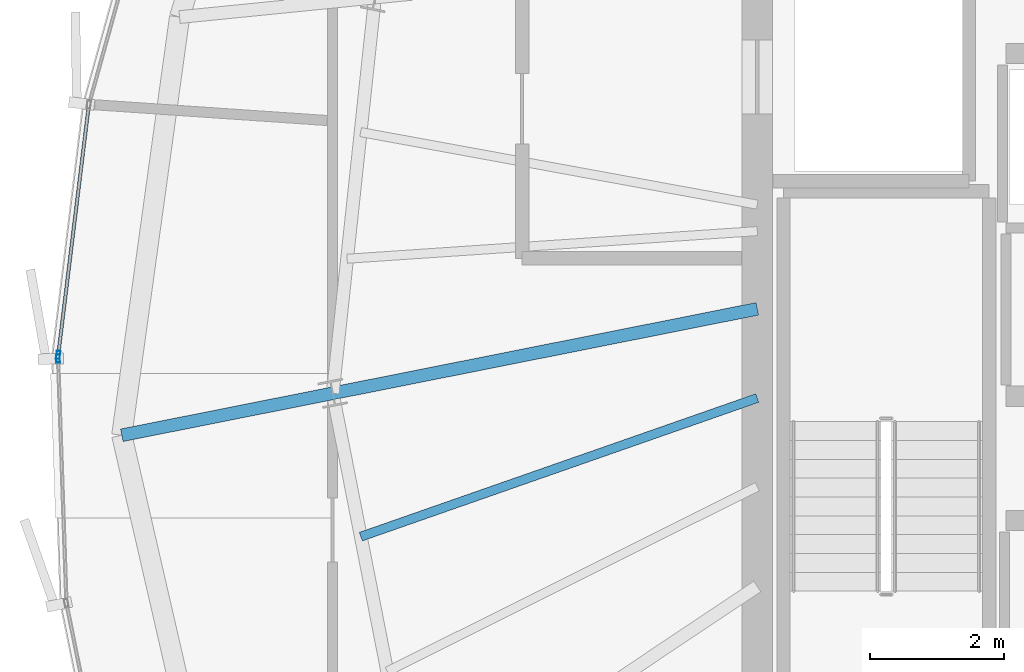
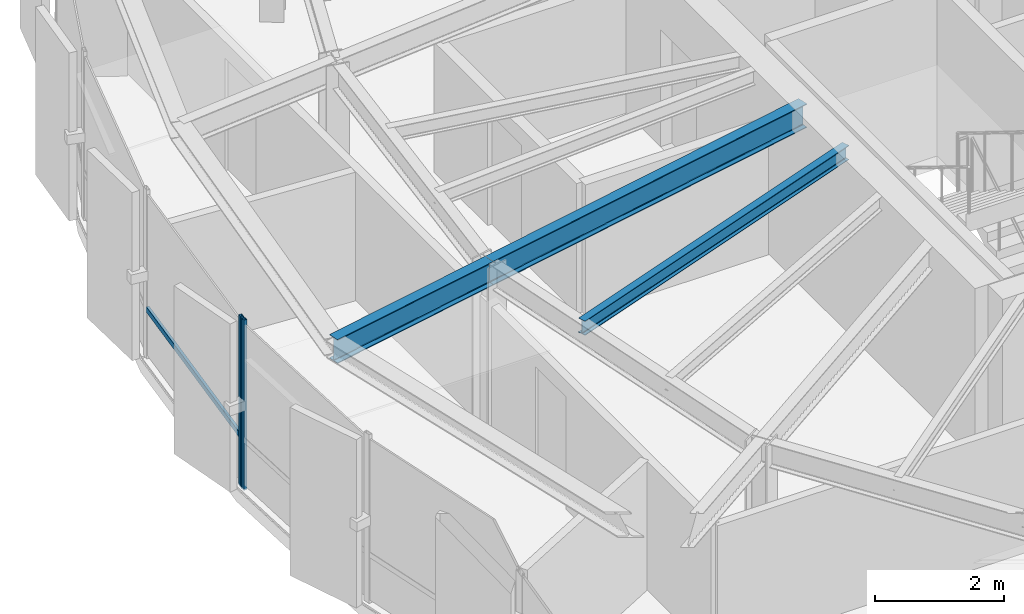
# One storey, part 9 of 31: 3 beams, 3 members, 2 elements without a shape of their own.
"""IFC4 building model written with IfcOpenShell, lengths in metres."""

from ifc_helpers import new_model, si_unit, direction, frame, origin, origin_2d, place, context, subcontext, project, spatial, hollow_rectangle, i_section, extrude, source, transform, mapped, material, layer, layer_set, material_profile, profile_set, type_object, element, aggregate, save


model = new_model("IFC4")

# Units and contexts
model_context = context("Model", 3, precision=1e-05, world=origin(), true_north=direction((0.0, 1.0)))
body_context = subcontext(model_context, "Body", "Model", "MODEL_VIEW")
ifc_project = project(units=[si_unit("LENGTHUNIT", "METRE"), si_unit("AREAUNIT", "SQUARE_METRE"), si_unit("VOLUMEUNIT", "CUBIC_METRE"), si_unit("PLANEANGLEUNIT", "RADIAN"), si_unit("MASSUNIT", "GRAM", prefix="KILO"), si_unit("THERMODYNAMICTEMPERATUREUNIT", "KELVIN")], contexts=[model_context])

# Site, building, storey
site_placement = place(None, origin())
site = spatial("IfcSite", under=ifc_project, at=site_placement, CompositionType="ELEMENT")
building_placement = place(site_placement, origin())
building = spatial("IfcBuilding", under=site, at=building_placement, Name="Kethvar Cultural Tower", CompositionType="ELEMENT")
storey_placement = place(building_placement, frame((0.0, 0.0, 283.60009765625)))
storey = spatial("IfcBuildingStorey", under=building, at=storey_placement, Name="L75", CompositionType="ELEMENT", Elevation=283.60009765625)

# Beams
ifc_material_1 = material(Name="Steel S355J2", Category="steel")
ifc_material_profile_1 = material_profile(ifc_material_1, i_section(OverallWidth=0.18994140625, OverallDepth=0.449951171875, WebThickness=0.009521484375, FlangeThickness=0.0146484375, FilletRadius=0.02099609375, at=origin_2d()), Name="Steel S355J2 — IPE450")
ifc_profile_set_1 = profile_set([ifc_material_profile_1], Name="Steel S355J2 — IPE450")
beam_type_1 = type_object("IfcBeamType", Name="BM-IPE450", PredefinedType="BEAM", material=ifc_profile_set_1)
shared_shape_1 = source(origin(), body_context, "Body", "SweptSolid", [
    extrude(i_section(OverallWidth=0.18994140625, OverallDepth=0.449951171875, WebThickness=0.009521484375, FlangeThickness=0.0146484375, FilletRadius=0.02099609375, at=origin_2d()), origin(), (0.0, 0.0, 1.0), 3.2001953125),
])
beam_1_placement = place(storey_placement, frame((31.68310546875, 24.79296875, 2.98291015625), z_axis=(-0.980788453702, -0.195074368086, 0.0), x_axis=(0.195074368086, -0.980788453702, 0.0)))
element("IfcBeam", 1, at=beam_1_placement, inside=storey, type_object=beam_type_1, Name="L75 Perimeter Cantilever Beam RC-09", PredefinedType="BEAM", context=body_context, shape_type="MappedRepresentation", body=[
    mapped(shared_shape_1, transform((0.0, 0.0, 0.0), scale=1.0)),
])
shared_shape_2 = source(origin(), body_context, "Body", "SweptSolid", [
    extrude(i_section(OverallWidth=0.18994140625, OverallDepth=0.449951171875, WebThickness=0.009521484375, FlangeThickness=0.0146484375, FilletRadius=0.02099609375, at=origin_2d()), origin(), (0.0, 0.0, 1.0), 6.440673828125),
])
beam_2_placement = place(storey_placement, frame((38.0, 26.049560546875, 2.98291015625), z_axis=(-0.980782804096, -0.195102770839, 0.0), x_axis=(0.195102770839, -0.980782804096, 0.0)))
element("IfcBeam", 2, at=beam_2_placement, inside=storey, type_object=beam_type_1, Name="L75 Primary Radial Beam RB-09", PredefinedType="BEAM", context=body_context, shape_type="MappedRepresentation", body=[
    mapped(shared_shape_2, transform((0.0, 0.0, 0.0), scale=1.0)),
])
ifc_material_profile_2 = material_profile(ifc_material_1, i_section(OverallWidth=0.135009765625, OverallDepth=0.27001953125, WebThickness=0.006591796875, FlangeThickness=0.01025390625, FilletRadius=0.014892578125, at=origin_2d()), Name="Steel S355J2 — IPE270")
ifc_profile_set_2 = profile_set([ifc_material_profile_2], Name="Steel S355J2 — IPE270")
beam_type_2 = type_object("IfcBeamType", Name="BM-J270", PredefinedType="JOIST", material=ifc_profile_set_2)
shared_shape_3 = source(origin(), body_context, "Body", "SweptSolid", [
    extrude(i_section(OverallWidth=0.135009765625, OverallDepth=0.27001953125, WebThickness=0.006591796875, FlangeThickness=0.01025390625, FilletRadius=0.014892578125, at=origin_2d()), origin(), (0.0, 0.0, 1.0), 6.248779296875),
])
beam_3_placement = place(storey_placement, frame((38.0, 24.722900390625, 3.072998046875), z_axis=(-0.943960031743, -0.330059780148, 0.0), x_axis=(0.330059780148, -0.943960031743, 0.0)))
element("IfcBeam", 3, at=beam_3_placement, inside=storey, type_object=beam_type_2, Name="L75 Composite Floor Joist J-09A", PredefinedType="JOIST", context=body_context, shape_type="MappedRepresentation", body=[
    mapped(shared_shape_3, transform((0.0, 0.0, 0.0), scale=1.0)),
])

# Curtain wall, member
ifc_material_2 = material(Name="Aluminium 6063-T6", Category="aluminium")
ifc_layer = layer(ifc_material_2, 0.179931640625, Name="Aluminium 6063-T6", Category="aluminium")
ifc_layer_set = layer_set([ifc_layer], Name="Aluminium 6063-T6 (180 mm)")
curtain_wall_type = type_object("IfcCurtainWallType", Name="CW-SYS-05-Z56", PredefinedType="NOTDEFINED", material=ifc_layer_set)
curtain_wall_1_placement = place(storey_placement, origin())
curtain_wall_1 = element("IfcCurtainWall", 4, at=curtain_wall_1_placement, inside=storey, type_object=curtain_wall_type, Name="L75 Curtain Wall Run 02", PredefinedType="NOTDEFINED")
ifc_material_profile_3 = material_profile(ifc_material_2, hollow_rectangle(XDim=0.054931640625, YDim=0.1201171875, WallThickness=0.00390625, at=origin_2d()), Name="Aluminium 6063-T6 — RHS120x55x4")
ifc_profile_set_3 = profile_set([ifc_material_profile_3], Name="Aluminium 6063-T6 — RHS120x55x4")
member_type_1 = type_object("IfcMemberType", Name="CW-SYS-05-Z56-MUL", PredefinedType="MULLION", material=ifc_profile_set_3)
shared_shape_4 = source(origin(), body_context, "Body", "SweptSolid", [
    extrude(hollow_rectangle(XDim=0.054931640625, YDim=0.1201171875, WallThickness=0.00390625, at=origin_2d()), origin(), (0.0, 0.0, 1.0), 3.2099609375),
])
member_1_placement = place(storey_placement, frame((27.59912109375, 25.365234375, 0.0), z_axis=(0.0, 0.0, 1.0), x_axis=(0.992588631597, -0.121522872021, 0.0)))
member_1 = element("IfcMember", 5, at=member_1_placement, type_object=member_type_1, Name="CW-L75-R02 Mullion 7", PredefinedType="MULLION", context=body_context, shape_type="MappedRepresentation", body=[
    mapped(shared_shape_4, transform((0.0, 0.0, 0.0), scale=1.0)),
])

curtain_wall_2_placement = place(storey_placement, origin())
curtain_wall_2 = element("IfcCurtainWall", 6, at=curtain_wall_2_placement, inside=storey, type_object=curtain_wall_type, Name="L75 Curtain Wall Run 03", PredefinedType="NOTDEFINED")
member_2_placement = place(storey_placement, frame((27.5966796875, 25.309814453125, 0.0), z_axis=(0.0, 0.0, 1.0), x_axis=(0.999416737348, 0.034149452545, 0.0)))
member_2 = element("IfcMember", 7, at=member_2_placement, type_object=member_type_1, Name="CW-L75-R03 Mullion 1", PredefinedType="MULLION", context=body_context, shape_type="MappedRepresentation", body=[
    mapped(shared_shape_4, transform((0.0, 0.0, 0.0), scale=1.0)),
])
aggregate(curtain_wall_2, [member_2])

# Member
ifc_material_profile_4 = material_profile(ifc_material_2, hollow_rectangle(XDim=0.050048828125, YDim=0.10009765625, WallThickness=0.00390625, at=origin_2d()), Name="Aluminium 6063-T6 — RHS100x50x4")
ifc_profile_set_4 = profile_set([ifc_material_profile_4], Name="Aluminium 6063-T6 — RHS100x50x4")
member_type_2 = type_object("IfcMemberType", Name="CW-SYS-05-Z56-TRN", PredefinedType="USERDEFINED", material=ifc_profile_set_4)
shared_shape_5 = source(origin(), body_context, "Body", "SweptSolid", [
    extrude(hollow_rectangle(XDim=0.050048828125, YDim=0.10009765625, WallThickness=0.00390625, at=origin_2d()), origin(), (0.0, 0.0, 1.0), 3.711181640625),
])
member_3_placement = place(storey_placement, frame((28.050537109375, 29.052734375, 0.949951171875), z_axis=(-0.121508121544, -0.99259043739, 0.0), x_axis=(0.99259043739, -0.121508121544, 0.0)))
member_3 = element("IfcMember", 8, at=member_3_placement, type_object=member_type_2, Name="CW-L75-R02 Transom 6", ObjectType="TRANSOM", PredefinedType="USERDEFINED", context=body_context, shape_type="MappedRepresentation", body=[
    mapped(shared_shape_5, transform((0.0, 0.0, 0.0), scale=1.0)),
])

aggregate(curtain_wall_1, [member_1, member_3])

save(model, "model.ifc")
